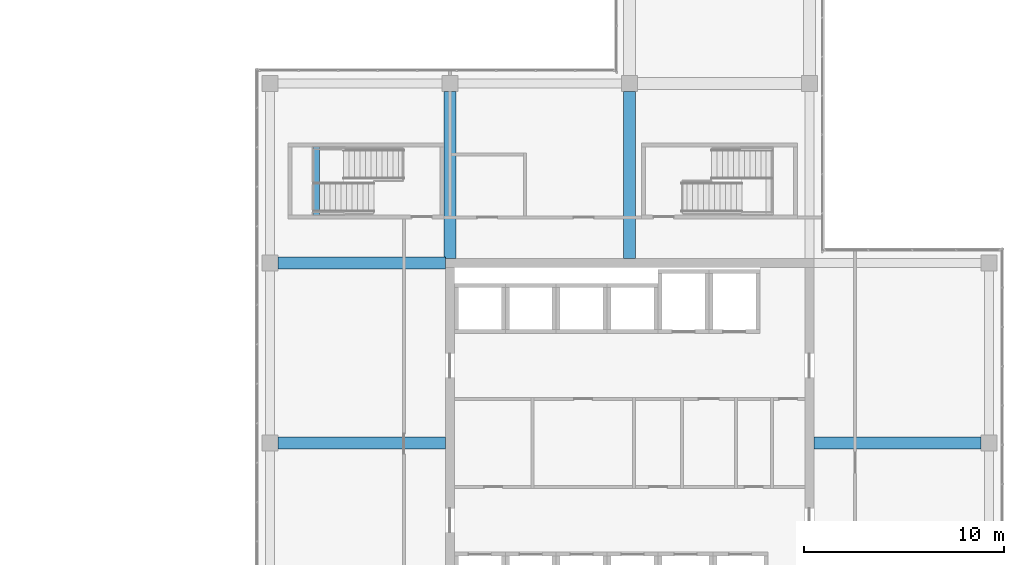
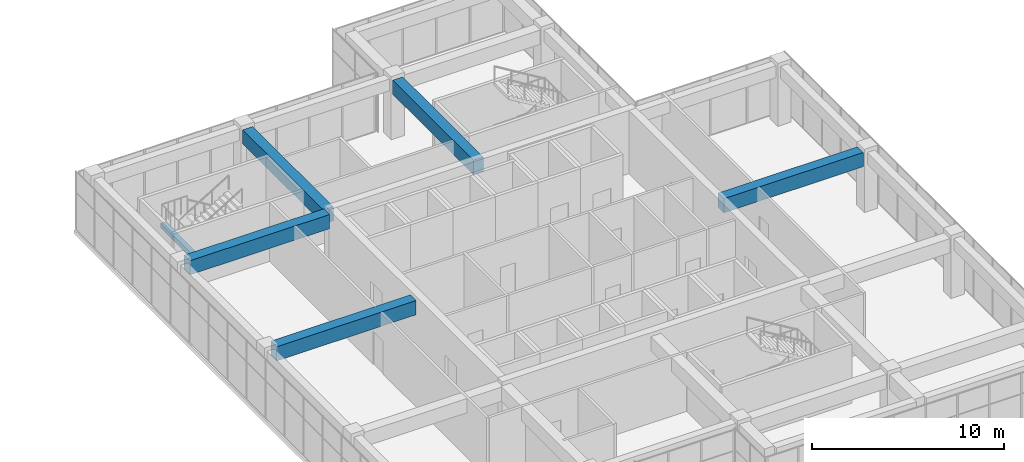
# One storey, part 29 of 55: 6 beams.
"""IFC4 building model written with IfcOpenShell, lengths in metres."""

from ifc_helpers import new_model, si_unit, direction, frame, origin, origin_2d, place, context, subcontext, project, spatial, rectangle, extrude, material, material_profile, profile_set, type_object, element, save


model = new_model("IFC4")

# Units and contexts
model_context = context("Model", 3, precision=1e-05, world=origin(), true_north=direction((0.0, 1.0)))
body_context = subcontext(model_context, "Body", "Model", "MODEL_VIEW")
ifc_project = project(units=[si_unit("LENGTHUNIT", "METRE"), si_unit("AREAUNIT", "SQUARE_METRE"), si_unit("VOLUMEUNIT", "CUBIC_METRE"), si_unit("PLANEANGLEUNIT", "RADIAN"), si_unit("MASSUNIT", "GRAM", prefix="KILO")], contexts=[model_context])

# Site, building, storey
site_placement = place(None, origin())
site = spatial("IfcSite", under=ifc_project, at=site_placement, CompositionType="ELEMENT")
building_placement = place(site_placement, origin())
building = spatial("IfcBuilding", under=site, at=building_placement, Name="Tuart Plaza Theatre", CompositionType="ELEMENT")
storey_placement = place(building_placement, frame((0.0, 0.0, 21.5)))
storey = spatial("IfcBuildingStorey", under=building, at=storey_placement, Name="L05", CompositionType="ELEMENT", Elevation=21.5)

# Beams
ifc_material_1 = material(Name="Concrete N40 (40 MPa)", Category="concrete")
ifc_material_profile_1 = material_profile(ifc_material_1, rectangle(XDim=0.300048828125, YDim=0.300048828125, at=origin_2d()), Name="BEAM 300x300 Concrete N40 (40 MPa)")
ifc_profile_set_1 = profile_set([ifc_material_profile_1], Name="Concrete N40 (40 MPa)")
beam_type_1 = type_object("IfcBeamType", Name="BEAM 300x300 Concrete N40 (40 MPa)", PredefinedType="BEAM", material=ifc_profile_set_1)
beam_placement = place(storey_placement, frame((116.320068359375, 88.824951171875, 1.64990234375), z_axis=(0.0, -1.0, 0.0), x_axis=(1.0, 0.0, 0.0)))
element("IfcBeam", 1, at=beam_placement, inside=storey, type_object=beam_type_1, Name="RB533", PredefinedType="BEAM", context=body_context, shape_type="SweptSolid", body=[
    extrude(rectangle(XDim=0.300048828125, YDim=0.300048828125, at=origin_2d()), origin(), (0.0, 0.0, 1.0), 3.39990234375),
])
ifc_material_2 = material(Name="Concrete N40 (40 MPa)", Category="concrete")
ifc_material_profile_2 = material_profile(ifc_material_2, rectangle(XDim=0.60009765625, YDim=0.89990234375, at=origin_2d()), Name="BEAM 600x900 Concrete N40 (40 MPa)")
ifc_profile_set_2 = profile_set([ifc_material_profile_2], Name="Concrete N40 (40 MPa)")
beam_type_2 = type_object("IfcBeamType", Name="BEAM 600x900 Concrete N40 (40 MPa)", PredefinedType="BEAM", material=ifc_profile_set_2)
for number, where, z_axis, x_axis, name in (
    (2, (114.39990234375, 74.0, 3.300048828125), (1.0, 0.0, 0.0), (0.0, 1.0, 0.0), "RB212"),
    (3, (114.39990234375, 83.0, 3.300048828125), (1.0, 0.0, 0.0), (0.0, 1.0, 0.0), "RB214"),
    (4, (123.0, 83.22509765625, 3.300048828125), (0.0, 1.0, 0.0), (-1.0, 0.0, 0.0), "RB218"),
    (5, (132.0, 83.22509765625, 3.300048828125), (0.0, 1.0, 0.0), (-1.0, 0.0, 0.0), "RB224"),
    (6, (141.22509765625, 74.0, 3.300048828125), (1.0, 0.0, 0.0), (0.0, 1.0, 0.0), "RB235"),
):
    element("IfcBeam", number, at=place(storey_placement, frame(where, z_axis=z_axis, x_axis=x_axis)), inside=storey, type_object=beam_type_2, Name=name, PredefinedType="BEAM", context=body_context, shape_type="SweptSolid", body=[
        extrude(rectangle(XDim=0.60009765625, YDim=0.89990234375, at=origin_2d()), origin(), (0.0, 0.0, 1.0), 8.375),
    ])

save(model, "model.ifc")
